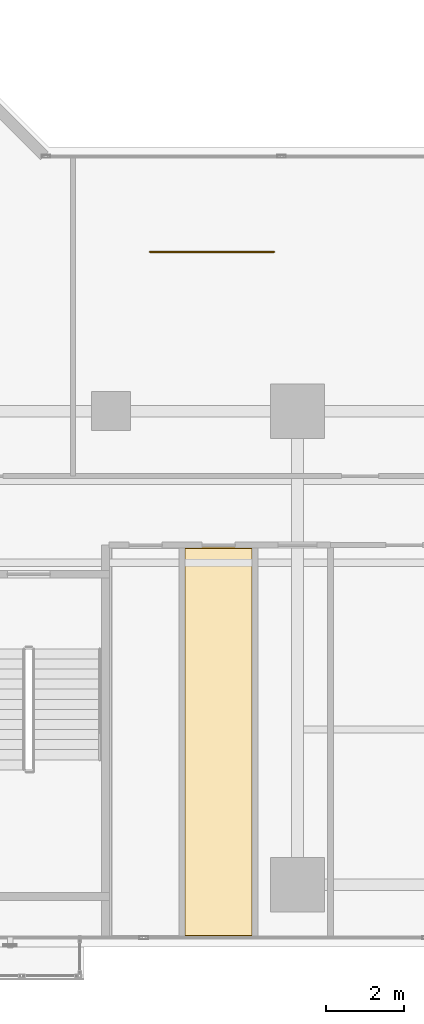
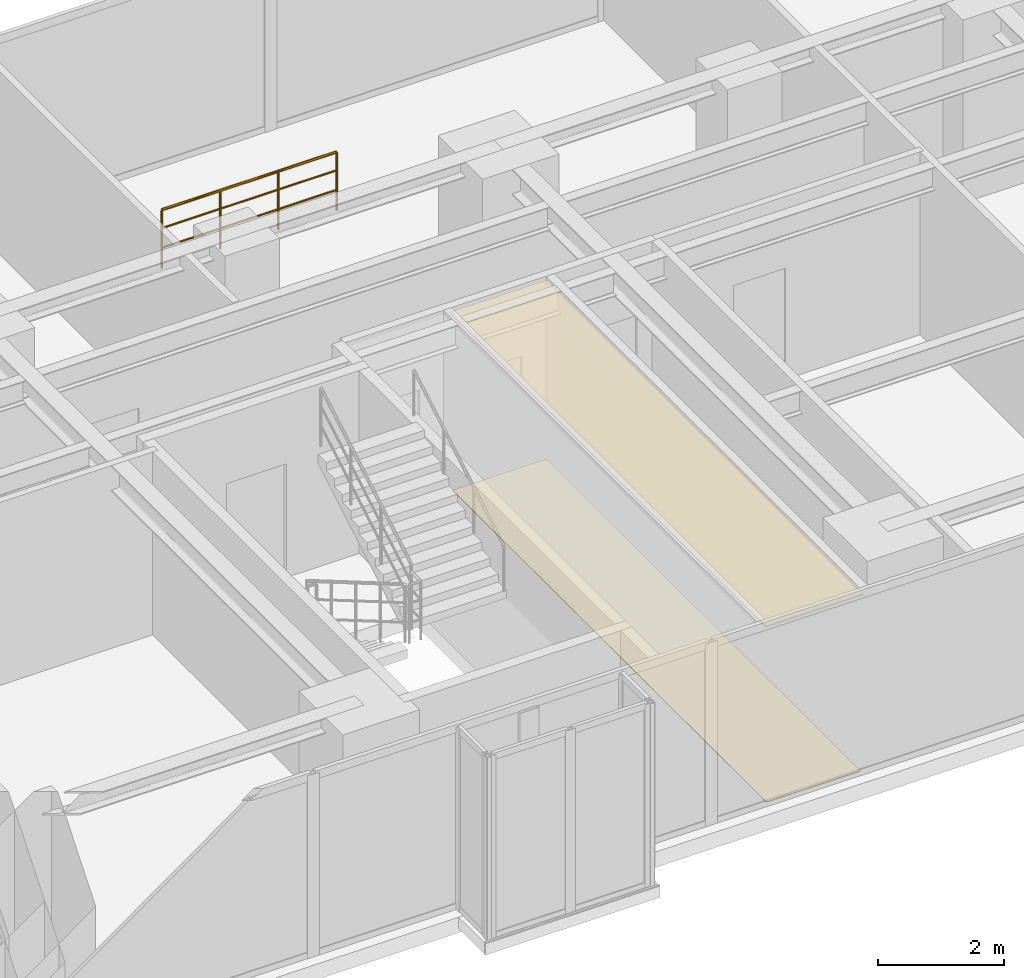
# One storey, part 25 of 26: 2 coverings, 1 railing.
"""IFC4 building model written with IfcOpenShell, lengths in metres."""

from ifc_helpers import new_model, si_unit, direction, frame, origin, origin_2d, place, context, subcontext, project, spatial, polyline, circle, outline, extrude, material, layer, layer_set, type_object, element, save


model = new_model("IFC4")

# Units and contexts
model_context = context("Model", 3, precision=1e-05, world=origin(), true_north=direction((0.0, 1.0)))
body_context = subcontext(model_context, "Body", "Model", "MODEL_VIEW")
ifc_project = project(units=[si_unit("LENGTHUNIT", "METRE"), si_unit("AREAUNIT", "SQUARE_METRE"), si_unit("VOLUMEUNIT", "CUBIC_METRE"), si_unit("PLANEANGLEUNIT", "RADIAN"), si_unit("MASSUNIT", "GRAM", prefix="KILO")], contexts=[model_context])

# Site, building, storey
site_placement = place(None, origin())
site = spatial("IfcSite", under=ifc_project, at=site_placement, CompositionType="ELEMENT")
building_placement = place(site_placement, origin())
building = spatial("IfcBuilding", under=site, at=building_placement, Name="Kolvaren Waterfront Exchange", CompositionType="ELEMENT")
storey_placement = place(building_placement, frame((0.0, 0.0, 110.699951171875)))
storey = spatial("IfcBuildingStorey", under=building, at=storey_placement, Name="L28", CompositionType="ELEMENT", Elevation=110.699951171875)

# Railing
ifc_material_1 = material(Name="Anodised bronze aluminium and laminated glass", Category="aluminium")
railing_type = type_object("IfcRailingType", Name="ARC-BALUSTRADE-1150", PredefinedType="BALUSTRADE", material=ifc_material_1)
railing_placement = place(storey_placement, frame((33.0, 21.5, 0.0)))
element("IfcRailing", 1, at=railing_placement, inside=storey, type_object=railing_type, Name="L28 gallery balustrade 2", PredefinedType="BALUSTRADE", context=body_context, shape_type="SweptSolid", body=[
    extrude(circle(Radius=0.02392578125, at=origin_2d()), frame((0.0, 0.0, 1.1259765625), z_axis=(1.0, 0.0, 0.0), x_axis=(0.0, 1.0, 0.0)), (0.0, 0.0, 1.0), 3.199951171875),
    extrude(circle(Radius=0.01611328125, at=origin_2d()), frame((0.0, 0.0, 0.390869140625), z_axis=(1.0, 0.0, 0.0), x_axis=(0.0, 1.0, 0.0)), (0.0, 0.0, 1.0), 3.199951171875),
    extrude(circle(Radius=0.01611328125, at=origin_2d()), frame((0.0, 0.0, 0.7705078125), z_axis=(1.0, 0.0, 0.0), x_axis=(0.0, 1.0, 0.0)), (0.0, 0.0, 1.0), 3.199951171875),
    extrude(circle(Radius=0.02099609375, at=origin_2d()), origin(), (0.0, 0.0, 1.0), 1.101806640625),
    extrude(circle(Radius=0.02099609375, at=origin_2d()), frame((1.066650390625, 0.0, 0.0)), (0.0, 0.0, 1.0), 1.101806640625),
    extrude(circle(Radius=0.02099609375, at=origin_2d()), frame((2.13330078125, 0.0, 0.0)), (0.0, 0.0, 1.0), 1.101806640625),
    extrude(circle(Radius=0.02099609375, at=origin_2d()), frame((3.199951171875, 0.0, 0.0)), (0.0, 0.0, 1.0), 1.101806640625),
])

# Coverings
ifc_material_2 = material(Name="Mineral fibre acoustic ceiling tile")
ifc_layer_1 = layer(ifc_material_2, 0.02490234375, Name="Mineral fibre acoustic ceiling tile")
ifc_layer_set_1 = layer_set([ifc_layer_1], Name="Mineral fibre acoustic ceiling tile")
covering_type_1 = type_object("IfcCoveringType", Name="ARC-CEIL-ACOUSTIC-25", PredefinedType="CEILING", material=ifc_layer_set_1)
covering_1_placement = place(storey_placement, frame((0.0, 0.0, 3.425048828125)))
element("IfcCovering", 2, at=covering_1_placement, inside=storey, type_object=covering_type_1, Name="L28 acoustic suspended ceiling 3", PredefinedType="CEILING", context=body_context, shape_type="SweptSolid", body=[
    extrude(outline(polyline([(35.6650390625, 3.864990234375), (35.6650390625, 13.89501953125), (33.875, 13.89501953125), (33.875, 3.864990234375), (35.6650390625, 3.864990234375)])), origin(), (0.0, 0.0, 1.0), 0.02490234375),
])
ifc_material_3 = material(Name="Slip-resistant porcelain tile")
ifc_layer_2 = layer(ifc_material_3, 0.014892578125, Name="Slip-resistant porcelain tile")
ifc_layer_set_2 = layer_set([ifc_layer_2], Name="Slip-resistant porcelain tile")
covering_type_2 = type_object("IfcCoveringType", Name="ARC-FLR-PORC-15", PredefinedType="FLOORING", material=ifc_layer_set_2)
covering_2_placement = place(storey_placement, origin())
element("IfcCovering", 3, at=covering_2_placement, inside=storey, type_object=covering_type_2, Name="L28 floor finish 3", PredefinedType="FLOORING", context=body_context, shape_type="SweptSolid", body=[
    extrude(outline(polyline([(33.909912109375, 13.860107421875), (33.909912109375, 3.89990234375), (35.6298828125, 3.89990234375), (35.6298828125, 13.860107421875), (33.909912109375, 13.860107421875)])), origin(), (0.0, 0.0, 1.0), 0.01513671875),
])

save(model, "model.ifc")
